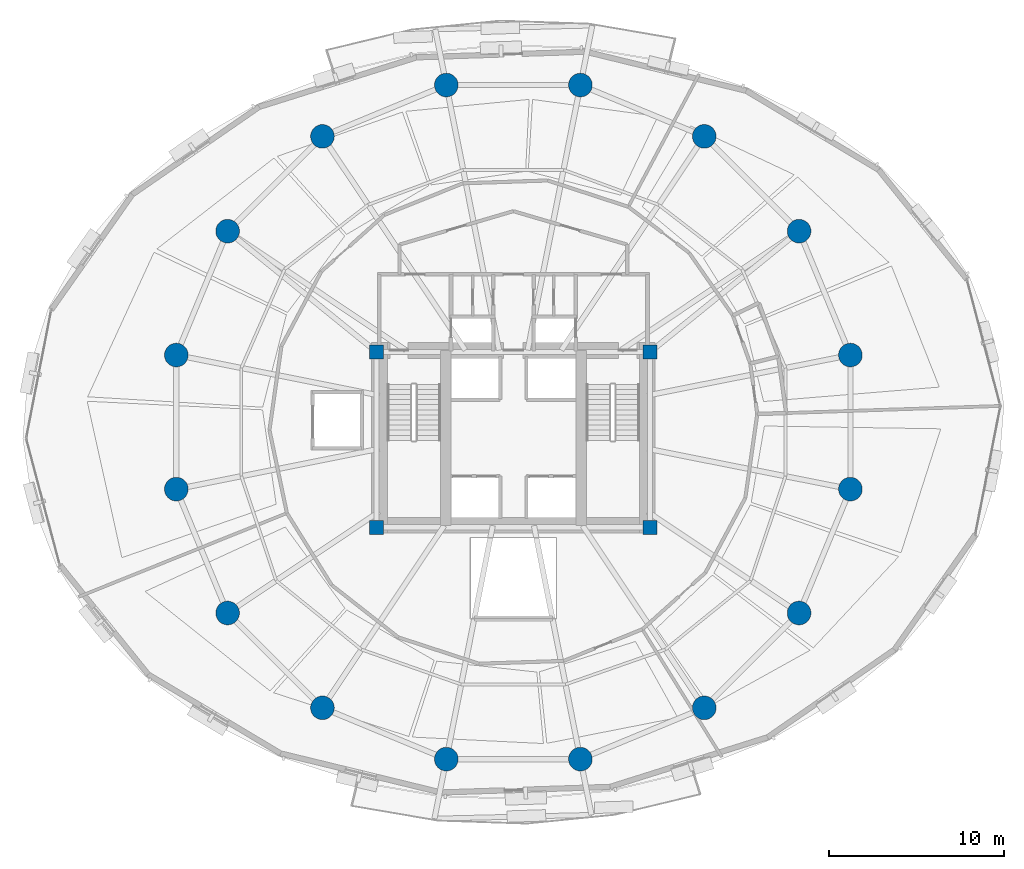
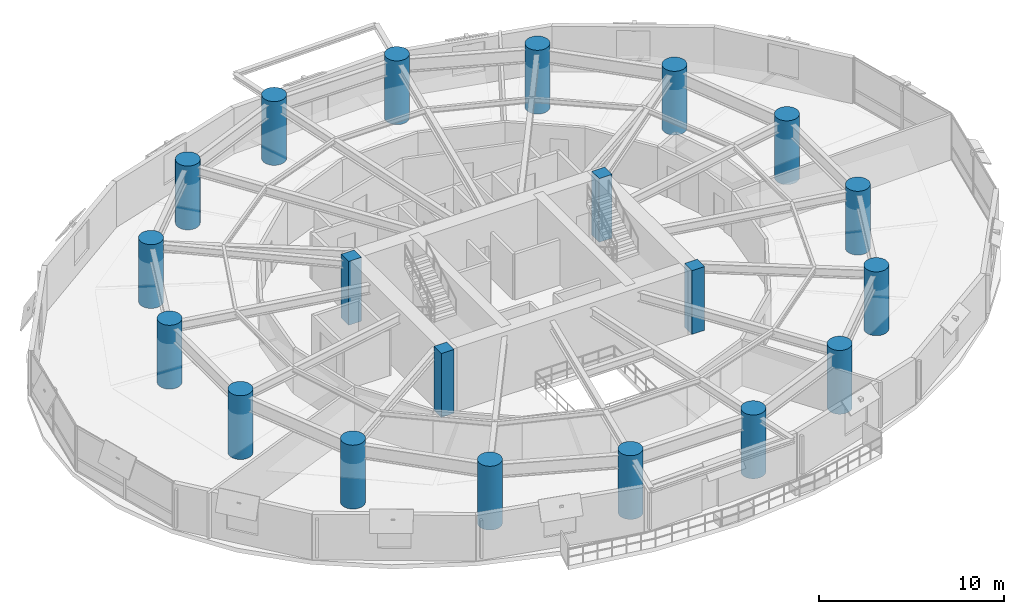
# One storey, part 1 of 15: 20 columns.
"""IFC4 building model written with IfcOpenShell, lengths in metres."""

from ifc_helpers import new_model, si_unit, direction, frame, origin, origin_2d, place, context, subcontext, project, spatial, rectangle, circle, extrude, material, material_profile, profile_set, type_object, element, save


model = new_model("IFC4")

# Units and contexts
model_context = context("Model", 3, precision=1e-05, world=origin(), true_north=direction((0.0, 1.0)))
body_context = subcontext(model_context, "Body", "Model", "MODEL_VIEW")
ifc_project = project(units=[si_unit("LENGTHUNIT", "METRE"), si_unit("AREAUNIT", "SQUARE_METRE"), si_unit("VOLUMEUNIT", "CUBIC_METRE"), si_unit("PLANEANGLEUNIT", "RADIAN"), si_unit("MASSUNIT", "GRAM", prefix="KILO"), si_unit("THERMODYNAMICTEMPERATUREUNIT", "KELVIN"), si_unit("POWERUNIT", "WATT")], contexts=[model_context])

# Site, building, storey
site_placement = place(None, origin())
site = spatial("IfcSite", under=ifc_project, at=site_placement, CompositionType="ELEMENT")
building_placement = place(site_placement, origin())
building = spatial("IfcBuilding", under=site, at=building_placement, Name="Ocrelia Relay Tower", CompositionType="ELEMENT")
storey_placement = place(building_placement, frame((0.0, 0.0, 38.39990234375)))
storey = spatial("IfcBuildingStorey", under=building, at=storey_placement, Name="L08", CompositionType="ELEMENT", Elevation=38.39990234375)

# Columns
ifc_material_1 = material(Name="Concrete C70/85", Category="concrete")
ifc_material_profile_1 = material_profile(ifc_material_1, circle(Radius=0.675048828125, at=origin_2d()), Name="RC-CIR-1350")
ifc_profile_set_1 = profile_set([ifc_material_profile_1], Name="Concrete C70/85")
column_type_1 = type_object("IfcColumnType", Name="COL-CT-1350", PredefinedType="COLUMN", material=ifc_profile_set_1)
for number, where, z_axis, x_axis, name in (
    (1, (53.223388671875, 29.82373046875, 0.0), (0.0, 0.0, 1.0), (1.0, 0.0, 0.0), "L08 Perimeter Ring Column C01"),
    (2, (50.296875, 36.88916015625, 0.0), (0.0, 0.0, 1.0), (1.0, 0.0, 0.0), "L08 Perimeter Ring Column C02"),
    (3, (44.88916015625, 42.296875, 0.0), (0.0, 0.0, 1.0), (1.0, 0.0, 0.0), "L08 Perimeter Ring Column C03"),
    (4, (37.82373046875, 45.223388671875, 0.0), (0.0, 0.0, 1.0), (1.0, 0.0, 0.0), "L08 Perimeter Ring Column C04"),
    (5, (30.17626953125, 45.223388671875, 0.0), (0.0, 0.0, 1.0), (1.0, 0.0, 0.0), "L08 Perimeter Ring Column C05"),
    (6, (23.11083984375, 42.296875, 0.0), (0.0, 0.0, 1.0), (1.0, 0.0, 0.0), "L08 Perimeter Ring Column C06"),
    (7, (17.703125, 36.88916015625, 0.0), (0.0, 0.0, 1.0), (1.0, 0.0, 0.0), "L08 Perimeter Ring Column C07"),
    (8, (14.776611328125, 29.82373046875, 0.0), (0.0, 0.0, 1.0), (1.0, 0.0, 0.0), "L08 Perimeter Ring Column C08"),
    (9, (14.776611328125, 22.17626953125, 0.0), (0.0, 0.0, 1.0), (1.0, 0.0, 0.0), "L08 Perimeter Ring Column C09"),
    (10, (17.703125, 15.11083984375, 0.0), (0.0, 0.0, 1.0), (1.0, 0.0, 0.0), "L08 Perimeter Ring Column C10"),
    (11, (23.11083984375, 9.703125, 0.0), (0.0, 0.0, 1.0), (1.0, 0.0, 0.0), "L08 Perimeter Ring Column C11"),
    (12, (30.17626953125, 6.776611328125, 0.0), (0.0, 0.0, 1.0), (1.0, 0.0, 0.0), "L08 Perimeter Ring Column C12"),
    (13, (37.82373046875, 6.776611328125, 0.0), (0.0, 0.0, 1.0), (1.0, 0.0, 0.0), "L08 Perimeter Ring Column C13"),
    (14, (44.88916015625, 9.703125, 0.0), (0.0, 0.0, 1.0), (1.0, 0.0, 0.0), "L08 Perimeter Ring Column C14"),
    (15, (50.296875, 15.11083984375, 0.0), (0.0, 0.0, 1.0), (1.0, 0.0, 0.0), "L08 Perimeter Ring Column C15"),
    (16, (53.223388671875, 22.17626953125, 0.0), (0.0, 0.0, 1.0), (1.0, 0.0, 0.0), "L08 Perimeter Ring Column C16"),
):
    element("IfcColumn", number, at=place(storey_placement, frame(where, z_axis=z_axis, x_axis=x_axis)), inside=storey, type_object=column_type_1, Name=name, PredefinedType="COLUMN", context=body_context, shape_type="SweptSolid", body=[
        extrude(circle(Radius=0.675048828125, at=origin_2d()), origin(), (0.0, 0.0, 1.0), 4.2001953125),
    ])
ifc_material_2 = material(Name="Concrete C60/75", Category="concrete")
ifc_material_profile_2 = material_profile(ifc_material_2, rectangle(XDim=0.800048828125, YDim=0.800048828125, at=origin_2d()), Name="RC-COL-800x800")
ifc_profile_set_2 = profile_set([ifc_material_profile_2], Name="Concrete C60/75")
column_type_2 = type_object("IfcColumnType", Name="COL-PILASTER-800", PredefinedType="PILASTER", material=ifc_profile_set_2)
for number, where, z_axis, x_axis, name in (
    (17, (26.199951171875, 20.0, 0.0), (0.0, 0.0, 1.0), (1.0, 0.0, 0.0), "L08 Core Corner Pilaster SW"),
    (18, (41.800048828125, 20.0, 0.0), (0.0, 0.0, 1.0), (1.0, 0.0, 0.0), "L08 Core Corner Pilaster SE"),
    (19, (26.199951171875, 30.0, 0.0), (0.0, 0.0, 1.0), (1.0, 0.0, 0.0), "L08 Core Corner Pilaster NW"),
    (20, (41.800048828125, 30.0, 0.0), (0.0, 0.0, 1.0), (1.0, 0.0, 0.0), "L08 Core Corner Pilaster NE"),
):
    element("IfcColumn", number, at=place(storey_placement, frame(where, z_axis=z_axis, x_axis=x_axis)), inside=storey, type_object=column_type_2, Name=name, PredefinedType="PILASTER", context=body_context, shape_type="SweptSolid", body=[
        extrude(rectangle(XDim=0.800048828125, YDim=0.800048828125, at=origin_2d()), origin(), (0.0, 0.0, 1.0), 4.2001953125),
    ])

save(model, "model.ifc")
